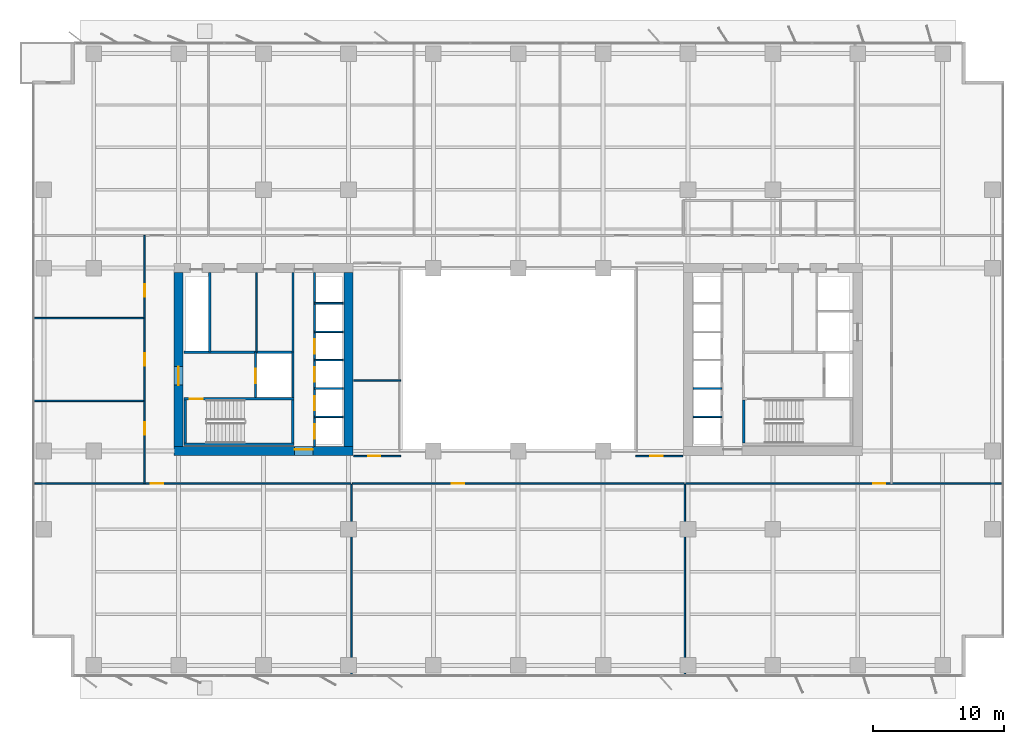
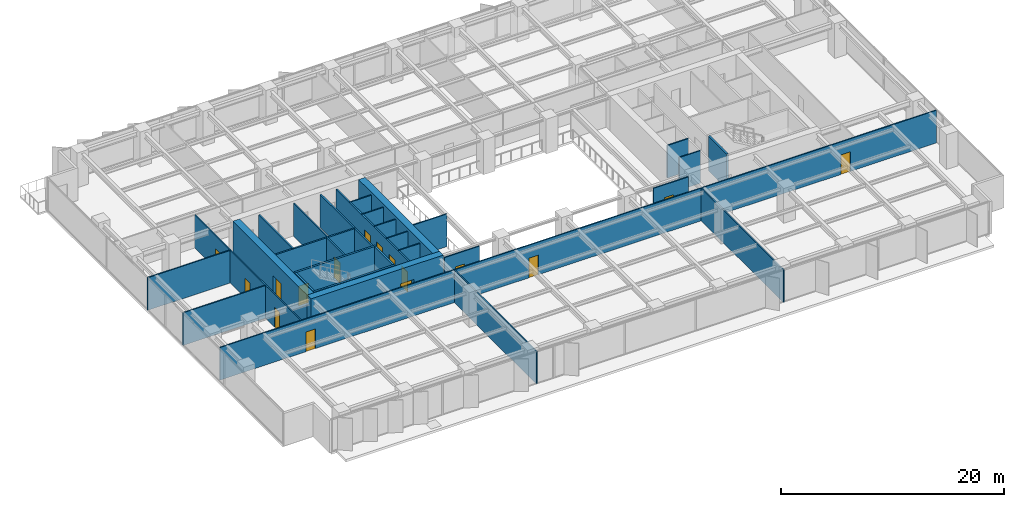
# One storey, part 13 of 19: 35 walls, 16 doors, 16 openings.
"""IFC4 building model written with IfcOpenShell, lengths in metres."""

import ifcopenshell
import ifcopenshell.guid

model = None  # the IFC model being written
_history = None  # IfcOwnerHistory: only IFC2X3 demands one
_inside = {}  # id of a spatial element -> (the spatial element, [elements in it])
_under = {}  # id of a project, library or spatial element -> (it, [spatial elements below it])
_declared = {}  # id of a project -> (the project, [libraries it declares])
_typed = {}  # id of a type object -> (the type object, [elements of that type])
_made_of = {}  # id of a material, layer set ... -> (it, [elements and type objects made of it])


def new_model(schema):
    """Start an empty IFC model of exactly this schema.

    Asked for "IFC4X3", IfcOpenShell would pick the latest addendum, in which some entities
    have other attributes; the version numbers below select the first issue.
    IFC2X3 requires an IfcOwnerHistory on every rooted entity: one is made here for all.
    """
    global model, _history
    if schema == "IFC4X3":
        model = ifcopenshell.file(schema_version=(4, 3, 0, 0))
    else:
        model = ifcopenshell.file(schema=schema)
    _inside.clear()
    _under.clear()
    _declared.clear()
    _typed.clear()
    _made_of.clear()
    _history = None
    if model.schema == "IFC2X3":
        org = make("IfcOrganization", Name="unknown")
        user = make(
            "IfcPersonAndOrganization",
            ThePerson=make("IfcPerson", FamilyName="unknown"),
            TheOrganization=org,
        )
        app = make(
            "IfcApplication",
            ApplicationDeveloper=org,
            Version="unknown",
            ApplicationFullName="unknown",
            ApplicationIdentifier="unknown",
        )
        _history = make(
            "IfcOwnerHistory",
            OwningUser=user,
            OwningApplication=app,
            ChangeAction="ADDED",
            CreationDate=0,
        )
    return model


def make(cls, **values):
    """One entity of the class cls with the attributes given. An attribute that is None is left unset."""
    return model.create_entity(
        cls, **{name: value for name, value in values.items() if value is not None}
    )


def rooted(cls, **values):
    """An entity with a GlobalId (a new one), such as an element, a storey or a relation."""
    return make(cls, GlobalId=ifcopenshell.guid.new(), OwnerHistory=_history, **values)


def si_unit(unit_type, name, prefix=None):
    """IfcSIUnit, for example si_unit("LENGTHUNIT", "METRE", prefix="MILLI")."""
    return make("IfcSIUnit", UnitType=unit_type, Prefix=prefix, Name=name)


def assignment(units):
    """IfcUnitAssignment: the units of a project."""
    return None if units is None else make("IfcUnitAssignment", Units=units)


def point(xyz):
    """IfcCartesianPoint."""
    return None if xyz is None else make("IfcCartesianPoint", Coordinates=xyz)


def direction(xyz):
    """IfcDirection."""
    return None if xyz is None else make("IfcDirection", DirectionRatios=xyz)


def frame(location, z_axis=None, x_axis=None):
    """IfcAxis2Placement3D, a coordinate frame: its origin and axes. An axis left out is left unset."""
    return make(
        "IfcAxis2Placement3D",
        Location=point(location),
        Axis=direction(z_axis),
        RefDirection=direction(x_axis),
    )


def frame_2d(location, x_axis=None):
    """IfcAxis2Placement2D, a coordinate frame in the plane: its origin and x axis."""
    return make(
        "IfcAxis2Placement2D", Location=point(location), RefDirection=direction(x_axis)
    )


def origin():
    """The frame at (0, 0, 0) with its axes left unset."""
    return frame((0.0, 0.0, 0.0))


def place(relative_to, where):
    """IfcLocalPlacement: puts the frame where relative to a parent placement (None: the world)."""
    return make(
        "IfcLocalPlacement", PlacementRelTo=relative_to, RelativePlacement=where
    )


def context(
    kind, dimensions, precision=None, world=None, true_north=None, identifier=None
):
    """IfcGeometricRepresentationContext, for example the 3D "Model" context."""
    return make(
        "IfcGeometricRepresentationContext",
        ContextIdentifier=identifier,
        ContextType=kind,
        CoordinateSpaceDimension=dimensions,
        Precision=precision,
        WorldCoordinateSystem=world,
        TrueNorth=true_north,
    )


def subcontext(parent, identifier, kind, view, scale=None):
    """IfcGeometricRepresentationSubContext, for example "Body" below "Model"."""
    return make(
        "IfcGeometricRepresentationSubContext",
        ContextIdentifier=identifier,
        ContextType=kind,
        ParentContext=parent,
        TargetScale=scale,
        TargetView=view,
    )


def project(units=None, contexts=None):
    """IfcProject with its units and contexts."""
    return rooted(
        "IfcProject",
        Name="project",
        RepresentationContexts=contexts,
        UnitsInContext=assignment(units),
    )


def spatial(cls, under=None, at=None, **own):
    """A site, building, storey or space (cls), placed at a placement, below another one or the project."""
    s = rooted(cls, ObjectPlacement=at, **own)
    if under is not None:
        _under.setdefault(under.id(), (under, []))[1].append(s)
    return s


def profile(cls, at=None, kind="AREA", **sizes):
    """A parametric profile (cls). Its sizes go by their IFC names, for example OverallWidth=200.0."""
    return make(cls, ProfileType=kind, Position=at, **sizes)


def rectangle(**sizes):
    """IfcRectangleProfileDef."""
    return profile("IfcRectangleProfileDef", **sizes)


def extrude(swept, where, along, depth):
    """IfcExtrudedAreaSolid: the profile swept, set in the frame where, extruded along a direction by depth."""
    return make(
        "IfcExtrudedAreaSolid",
        SweptArea=swept,
        Position=where,
        ExtrudedDirection=direction(along),
        Depth=depth,
    )


def shape(context_of_items, identifier, shape_type, items):
    """IfcShapeRepresentation: the items that make up one representation, for example the "Body"."""
    return make(
        "IfcShapeRepresentation",
        ContextOfItems=context_of_items,
        RepresentationIdentifier=identifier,
        RepresentationType=shape_type,
        Items=items,
    )


def material(Name=None, Category=None):
    """IfcMaterial."""
    return make("IfcMaterial", Name=Name, Category=Category)


def layer(
    of_material, thickness, ventilated=None, Name=None, Category=None, Priority=None
):
    """IfcMaterialLayer: one layer of a wall or slab, of a material (None: an air gap)."""
    return make(
        "IfcMaterialLayer",
        Material=of_material,
        LayerThickness=thickness,
        IsVentilated=ventilated,
        Name=Name,
        Category=Category,
        Priority=Priority,
    )


def layer_set(layers, Name=None):
    """IfcMaterialLayerSet."""
    return make("IfcMaterialLayerSet", MaterialLayers=layers, LayerSetName=Name)


def made_of(thing, what):
    """Note that an element or type object is made of a material, layer set ...; save() writes the relation."""
    if what is not None:
        _made_of.setdefault(what.id(), (what, []))[1].append(thing)
    return thing


def type_object(cls, material=None, **own):
    """A type object (cls), such as IfcWallType, which elements share."""
    return made_of(rooted(cls, **own), material)


def element(
    cls,
    number,
    at=None,
    inside=None,
    cuts=None,
    type_object=None,
    material=None,
    context=None,
    identifier="Body",
    shape_type=None,
    held_by="IfcProductDefinitionShape",
    body=None,
    shapes=None,
    **own,
):
    """One element of the class cls, such as IfcWall. Its Tag is "e" and its number.

    at: its placement. inside: the storey or other place that contains it. cuts: it is an
    opening in that element (IfcRelVoidsElement). A single representation is given by context,
    identifier, shape_type and body (its items); several are given by shapes. held_by: the class
    of the entity that holds the representations. save() writes the other relations.
    """
    e = rooted(cls, Tag="e%d" % number, ObjectPlacement=at, **own)
    if body is not None:
        shapes = [shape(context, identifier, shape_type, body)]
    if shapes is not None:
        e.Representation = make(held_by, Representations=shapes)
    if inside is not None:
        _inside.setdefault(inside.id(), (inside, []))[1].append(e)
    if cuts is not None:
        rooted(
            "IfcRelVoidsElement", RelatingBuildingElement=cuts, RelatedOpeningElement=e
        )
    if type_object is not None:
        _typed.setdefault(type_object.id(), (type_object, []))[1].append(e)
    return made_of(e, material)


def fill(opening, filler):
    """IfcRelFillsElement: the door or window that sits in an opening."""
    return rooted(
        "IfcRelFillsElement",
        RelatingOpeningElement=opening,
        RelatedBuildingElement=filler,
    )


def aggregate(whole, parts):
    """IfcRelAggregates: a whole, such as a stair, and the parts it consists of."""
    return rooted("IfcRelAggregates", RelatingObject=whole, RelatedObjects=parts)


def save(model, path):
    """Write the relations noted so far, then the file.

    IfcRelAggregates (storeys below a building ...), IfcRelContainedInSpatialStructure (elements
    in a storey), IfcRelDefinesByType, IfcRelAssociatesMaterial and IfcRelDeclares: one each for
    every whole, place, type object, material and project.
    """
    for whole, parts in _under.values():
        aggregate(whole, parts)
    for where, things in _inside.values():
        rooted(
            "IfcRelContainedInSpatialStructure",
            RelatedElements=things,
            RelatingStructure=where,
        )
    for kind, things in _typed.values():
        rooted("IfcRelDefinesByType", RelatedObjects=things, RelatingType=kind)
    for what, things in _made_of.values():
        rooted("IfcRelAssociatesMaterial", RelatedObjects=things, RelatingMaterial=what)
    for by, libraries in _declared.values():
        rooted("IfcRelDeclares", RelatingContext=by, RelatedDefinitions=libraries)
    model.write(path)


model = new_model("IFC4")

# Units and contexts
model_context = context("Model", 3, precision=1e-05, world=origin(), true_north=direction((0.0, 1.0)))
body_context = subcontext(model_context, "Body", "Model", "MODEL_VIEW")
ifc_project = project(units=[si_unit("LENGTHUNIT", "METRE"), si_unit("AREAUNIT", "SQUARE_METRE"), si_unit("VOLUMEUNIT", "CUBIC_METRE"), si_unit("PLANEANGLEUNIT", "RADIAN"), si_unit("MASSUNIT", "GRAM", prefix="KILO")], contexts=[model_context])

# Site, building, storey
site_placement = place(None, origin())
site = spatial("IfcSite", under=ifc_project, at=site_placement, CompositionType="ELEMENT")
building_placement = place(site_placement, origin())
building = spatial("IfcBuilding", under=site, at=building_placement, Name="Putna Gate Headquarters", CompositionType="ELEMENT")
storey_placement = place(building_placement, frame((0.0, 0.0, 86.0)))
storey = spatial("IfcBuildingStorey", under=building, at=storey_placement, Name="L20", CompositionType="ELEMENT", Elevation=86.0)

# Wall, opening, door
ifc_material_1 = material(Name="Concrete C60/75", Category="concrete")
ifc_layer_1 = layer(ifc_material_1, 0.699951171875)
ifc_layer_set_1 = layer_set([ifc_layer_1], Name="Concrete C60/75")
wall_type_1 = type_object("IfcWallType", Name="WALL-CORE-700", PredefinedType="SHEAR", material=ifc_layer_set_1)
wall_1_placement = place(storey_placement, frame((12.64990234375, 19.0, 0.0), z_axis=(0.0, 0.0, 1.0), x_axis=(1.0, 0.0, 0.0)))
wall_1 = element("IfcWall", 1, at=wall_1_placement, inside=storey, type_object=wall_type_1, Name="L20 WC Split Core Shear Wall S", PredefinedType="SHEAR", context=body_context, shape_type="SweptSolid", body=[
    extrude(rectangle(XDim=13.7001953125, YDim=0.699951171875, at=frame_2d((6.85009765625, 0.0))), origin(), (0.0, 0.0, 1.0), 3.800048828125),
])
opening_1_placement = place(wall_1_placement, frame((9.22998046875, 0.0, 0.0)))
opening_1 = element("IfcOpeningElement", 2, at=opening_1_placement, cuts=wall_1, Name="Opening FDD-140", PredefinedType="OPENING", context=body_context, shape_type="SweptSolid", body=[
    extrude(rectangle(XDim=1.39990234375, YDim=2.199951171875, at=frame_2d((0.699951171875, 1.10009765625))), frame((0.0, 0.35986328125, 0.0), z_axis=(0.0, -1.0, 0.0), x_axis=(1.0, 0.0, 0.0)), (0.0, 0.0, 1.0), 0.719970703125),
])
ifc_material_2 = material(Name="Double steel fire door", Category="steel")
door_type_1 = type_object("IfcDoorType", Name="DOOR-FIRE-DBL-1400", OperationType="DOUBLE_DOOR_SINGLE_SWING", PredefinedType="DOOR", material=ifc_material_2)
door_1_placement = place(opening_1_placement, origin())
door_1 = element("IfcDoor", 3, at=door_1_placement, inside=storey, type_object=door_type_1, Name="L20 West Lift Lobby South Door", OperationType="DOUBLE_DOOR_SINGLE_SWING", OverallHeight=2.199951171875, OverallWidth=1.39990234375, PredefinedType="DOOR", context=body_context, shape_type="SweptSolid", body=[
    extrude(rectangle(XDim=1.39990234375, YDim=2.199951171875, at=frame_2d((0.699951171875, 1.10009765625))), frame((0.0, 0.125, 0.0), z_axis=(0.0, -1.0, 0.0), x_axis=(1.0, 0.0, 0.0)), (0.0, 0.0, 1.0), 0.050048828125),
])
fill(opening_1, door_1)

wall_2_placement = place(storey_placement, frame((13.0, 19.35009765625, 0.0), z_axis=(0.0, 0.0, 1.0), x_axis=(0.0, 1.0, 0.0)))
wall_2 = element("IfcWall", 4, at=wall_2_placement, inside=storey, type_object=wall_type_1, Name="L20 WC Split Core Shear Wall W", PredefinedType="SHEAR", context=body_context, shape_type="SweptSolid", body=[
    extrude(rectangle(XDim=13.2998046875, YDim=0.699951171875, at=frame_2d((6.64990234375, 0.0))), origin(), (0.0, 0.0, 1.0), 3.800048828125),
])
opening_2_placement = place(wall_2_placement, frame((4.699951171875, 0.0, 0.0)))
opening_2 = element("IfcOpeningElement", 5, at=opening_2_placement, cuts=wall_2, Name="Opening FDD-140", PredefinedType="OPENING", context=body_context, shape_type="SweptSolid", body=[
    extrude(rectangle(XDim=1.39990234375, YDim=2.199951171875, at=frame_2d((0.699951171875, 1.10009765625))), frame((0.0, 0.35986328125, 0.0), z_axis=(0.0, -1.0, 0.0), x_axis=(1.0, 0.0, 0.0)), (0.0, 0.0, 1.0), 0.719970703125),
])
door_2_placement = place(opening_2_placement, origin())
door_2 = element("IfcDoor", 6, at=door_2_placement, inside=storey, type_object=door_type_1, Name="L20 West Firefighting Lobby Door", OperationType="DOUBLE_DOOR_SINGLE_SWING", OverallHeight=2.199951171875, OverallWidth=1.39990234375, PredefinedType="DOOR", context=body_context, shape_type="SweptSolid", body=[
    extrude(rectangle(XDim=1.39990234375, YDim=2.199951171875, at=frame_2d((0.699951171875, 1.10009765625))), frame((0.0, 0.02490234375, 0.0), z_axis=(0.0, -1.0, 0.0), x_axis=(1.0, 0.0, 0.0)), (0.0, 0.0, 1.0), 0.050048828125),
])
fill(opening_2, door_2)

# Walls
wall_3_placement = place(storey_placement, frame((26.0, 19.35009765625, 0.0), z_axis=(0.0, 0.0, 1.0), x_axis=(0.0, 1.0, 0.0)))
element("IfcWall", 7, at=wall_3_placement, inside=storey, type_object=wall_type_1, Name="L20 WC Split Core Shear Wall E", PredefinedType="SHEAR", context=body_context, shape_type="SweptSolid", body=[
    extrude(rectangle(XDim=13.2998046875, YDim=0.699951171875, at=frame_2d((6.64990234375, 0.0))), origin(), (0.0, 0.0, 1.0), 3.800048828125),
])
ifc_material_3 = material(Name="Acoustic gypsum board on metal stud")
ifc_layer_2 = layer(ifc_material_3, 0.1201171875)
ifc_layer_set_2 = layer_set([ifc_layer_2], Name="Acoustic gypsum board on metal stud")
wall_type_2 = type_object("IfcWallType", Name="WALL-PART-120", PredefinedType="PARTITIONING", material=ifc_layer_set_2)
wall_4_placement = place(storey_placement, frame((26.39990234375, 24.39990234375, 0.0), z_axis=(0.0, 0.0, 1.0), x_axis=(1.0, 0.0, 0.0)))
element("IfcWall", 8, at=wall_4_placement, inside=storey, type_object=wall_type_2, Name="L20 Interior Wall PART-L20-ATR-W-DIV", PredefinedType="PARTITIONING", context=body_context, shape_type="SweptSolid", body=[
    extrude(rectangle(XDim=3.60009765625, YDim=0.1201171875, at=frame_2d((1.800048828125, 0.0))), origin(), (0.0, 0.0, 1.0), 3.56494140625),
])

# Wall, opening, door
wall_5_placement = place(storey_placement, frame((26.39990234375, 18.60009765625, 0.0), z_axis=(0.0, 0.0, 1.0), x_axis=(1.0, 0.0, 0.0)))
wall_5 = element("IfcWall", 9, at=wall_5_placement, inside=storey, type_object=wall_type_2, Name="L20 Interior Wall PART-L20-ATR-W-S", PredefinedType="PARTITIONING", context=body_context, shape_type="SweptSolid", body=[
    extrude(rectangle(XDim=3.60009765625, YDim=0.1201171875, at=frame_2d((1.800048828125, 0.0))), origin(), (0.0, 0.0, 1.0), 3.56494140625),
])
opening_3_placement = place(wall_5_placement, frame((1.10009765625, 0.0, 0.0)))
opening_3 = element("IfcOpeningElement", 10, at=opening_3_placement, cuts=wall_5, Name="Opening ID-95", PredefinedType="OPENING", context=body_context, shape_type="SweptSolid", body=[
    extrude(rectangle(XDim=0.949951171875, YDim=2.14990234375, at=frame_2d((0.47509765625, 1.074951171875))), frame((0.0, 0.070068359375, 0.0), z_axis=(0.0, -1.0, 0.0), x_axis=(1.0, 0.0, 0.0)), (0.0, 0.0, 1.0), 0.14013671875),
])
ifc_material_4 = material(Name="Veneered acoustic timber door", Category="wood")
door_type_2 = type_object("IfcDoorType", Name="DOOR-OFF-950", OperationType="NOTDEFINED", PredefinedType="DOOR", material=ifc_material_4)
door_3_placement = place(opening_3_placement, origin())
door_3 = element("IfcDoor", 11, at=door_3_placement, inside=storey, type_object=door_type_2, Name="L20 West Atrium South Study Door", OperationType="SINGLE_SWING_LEFT", OverallHeight=2.14990234375, OverallWidth=0.949951171875, PredefinedType="DOOR", context=body_context, shape_type="SweptSolid", body=[
    extrude(rectangle(XDim=0.949951171875, YDim=2.14990234375, at=frame_2d((0.47509765625, 1.074951171875))), frame((0.0, 0.02490234375, 0.0), z_axis=(0.0, -1.0, 0.0), x_axis=(1.0, 0.0, 0.0)), (0.0, 0.0, 1.0), 0.050048828125),
])
fill(opening_3, door_3)

wall_6_placement = place(storey_placement, frame((48.0, 18.60009765625, 0.0), z_axis=(0.0, 0.0, 1.0), x_axis=(1.0, 0.0, 0.0)))
wall_6 = element("IfcWall", 12, at=wall_6_placement, inside=storey, type_object=wall_type_2, Name="L20 Interior Wall PART-L20-ATR-E-S", PredefinedType="PARTITIONING", context=body_context, shape_type="SweptSolid", body=[
    extrude(rectangle(XDim=3.60009765625, YDim=0.1201171875, at=frame_2d((1.800048828125, 0.0))), origin(), (0.0, 0.0, 1.0), 3.56494140625),
])
opening_4_placement = place(wall_6_placement, frame((1.10009765625, 0.0, 0.0)))
opening_4 = element("IfcOpeningElement", 13, at=opening_4_placement, cuts=wall_6, Name="Opening ID-95", PredefinedType="OPENING", context=body_context, shape_type="SweptSolid", body=[
    extrude(rectangle(XDim=0.949951171875, YDim=2.14990234375, at=frame_2d((0.47509765625, 1.074951171875))), frame((0.0, 0.070068359375, 0.0), z_axis=(0.0, -1.0, 0.0), x_axis=(1.0, 0.0, 0.0)), (0.0, 0.0, 1.0), 0.14013671875),
])
door_4_placement = place(opening_4_placement, origin())
door_4 = element("IfcDoor", 14, at=door_4_placement, inside=storey, type_object=door_type_2, Name="L20 East Atrium Gallery Lounge Door", OperationType="SINGLE_SWING_LEFT", OverallHeight=2.14990234375, OverallWidth=0.949951171875, PredefinedType="DOOR", context=body_context, shape_type="SweptSolid", body=[
    extrude(rectangle(XDim=0.949951171875, YDim=2.14990234375, at=frame_2d((0.47509765625, 1.074951171875))), frame((0.0, 0.02490234375, 0.0), z_axis=(0.0, -1.0, 0.0), x_axis=(1.0, 0.0, 0.0)), (0.0, 0.0, 1.0), 0.050048828125),
])
fill(opening_4, door_4)

# Walls
for number, where, z_axis, x_axis, name in (
    (15, (26.242919921875, 1.719970703125, 0.0), (0.0, 0.0, 1.0), (0.0, 1.0, 0.0), "L20 Interior Wall PART-L20-SB-DIV-01"),
    (16, (51.757080078125, 1.719970703125, 0.0), (0.0, 0.0, 1.0), (0.0, 1.0, 0.0), "L20 Interior Wall PART-L20-SB-DIV-02"),
):
    element("IfcWall", number, at=place(storey_placement, frame(where, z_axis=z_axis, x_axis=x_axis)), inside=storey, type_object=wall_type_2, Name=name, PredefinedType="PARTITIONING", context=body_context, shape_type="SweptSolid", body=[
        extrude(rectangle(XDim=14.719970703125, YDim=0.1201171875, at=frame_2d((7.35986328125, 0.0))), origin(), (0.0, 0.0, 1.0), 3.56494140625),
    ])
for number, where, z_axis, x_axis, name in (
    (17, (1.820068359375, 22.833251953125, 0.0), (0.0, 0.0, 1.0), (1.0, 0.0, 0.0), "L20 Interior Wall PART-L20-WW-DIV-1"),
    (18, (1.820068359375, 29.166748046875, 0.0), (0.0, 0.0, 1.0), (1.0, 0.0, 0.0), "L20 Interior Wall PART-L20-WW-DIV-2"),
):
    element("IfcWall", number, at=place(storey_placement, frame(where, z_axis=z_axis, x_axis=x_axis)), inside=storey, type_object=wall_type_2, Name=name, PredefinedType="PARTITIONING", context=body_context, shape_type="SweptSolid", body=[
        extrude(rectangle(XDim=8.579833984375, YDim=0.1201171875, at=frame_2d((4.2900390625, 0.0))), origin(), (0.0, 0.0, 1.0), 3.56494140625),
    ])
ifc_material_5 = material(Name="Fire-rated shaftwall gypsum board on metal stud")
ifc_layer_3 = layer(ifc_material_5, 0.1201171875)
ifc_layer_set_3 = layer_set([ifc_layer_3], Name="Fire-rated shaftwall gypsum board on metal stud")
wall_type_3 = type_object("IfcWallType", Name="WALL-PART-120-EI120", PredefinedType="PARTITIONING", material=ifc_layer_set_3)
for number, where, z_axis, x_axis, name in (
    (19, (23.39990234375, 21.610107421875, 0.0), (0.0, 0.0, 1.0), (1.0, 0.0, 0.0), "L20 Interior Wall CWINT-L20-WC-LF01-DIV"),
    (20, (23.39990234375, 23.780029296875, 0.0), (0.0, 0.0, 1.0), (1.0, 0.0, 0.0), "L20 Interior Wall CWINT-L20-WC-LF02-DIV"),
    (21, (23.39990234375, 25.949951171875, 0.0), (0.0, 0.0, 1.0), (1.0, 0.0, 0.0), "L20 Interior Wall CWINT-L20-WC-LF05-DIV"),
    (22, (23.39990234375, 28.1201171875, 0.0), (0.0, 0.0, 1.0), (1.0, 0.0, 0.0), "L20 Interior Wall CWINT-L20-WC-LF06-DIV"),
    (23, (23.39990234375, 30.31005859375, 0.0), (0.0, 0.0, 1.0), (1.0, 0.0, 0.0), "L20 Interior Wall CWINT-L20-WC-LF09-DIV"),
    (24, (52.39990234375, 21.610107421875, 0.0), (0.0, 0.0, 1.0), (1.0, 0.0, 0.0), "L20 Interior Wall CWINT-L20-EC-LF03-DIV"),
    (25, (52.39990234375, 23.780029296875, 0.0), (0.0, 0.0, 1.0), (1.0, 0.0, 0.0), "L20 Interior Wall CWINT-L20-EC-LF04-DIV"),
):
    element("IfcWall", number, at=place(storey_placement, frame(where, z_axis=z_axis, x_axis=x_axis)), inside=storey, type_object=wall_type_3, Name=name, PredefinedType="PARTITIONING", context=body_context, shape_type="SweptSolid", body=[
        extrude(rectangle(XDim=2.2001953125, YDim=0.1201171875, at=frame_2d((1.10009765625, 0.0))), origin(), (0.0, 0.0, 1.0), 3.56494140625),
    ])
ifc_material_6 = material(Name="Fire-rated gypsum board on metal stud")
ifc_layer_4 = layer(ifc_material_6, 0.1201171875)
ifc_layer_set_4 = layer_set([ifc_layer_4], Name="Fire-rated gypsum board on metal stud")
wall_type_4 = type_object("IfcWallType", Name="WALL-PART-120-RATED", PredefinedType="PARTITIONING", material=ifc_layer_set_4)
wall_7_placement = place(storey_placement, frame((18.969970703125, 26.56005859375, 0.0), z_axis=(0.0, 0.0, 1.0), x_axis=(0.0, 1.0, 0.0)))
element("IfcWall", 26, at=wall_7_placement, inside=storey, type_object=wall_type_4, Name="L20 Interior Wall CWINT-L20-WC-K0-DIV", PredefinedType="PARTITIONING", context=body_context, shape_type="SweptSolid", body=[
    extrude(rectangle(XDim=6.08984375, YDim=0.1201171875, at=frame_2d((3.044921875, 0.0))), origin(), (0.0, 0.0, 1.0), 3.56494140625),
])

# Wall, opening, door
wall_8_placement = place(storey_placement, frame((1.97998046875, 16.5, 0.0), z_axis=(0.0, 0.0, 1.0), x_axis=(1.0, 0.0, 0.0)))
wall_8 = element("IfcWall", 27, at=wall_8_placement, inside=storey, type_object=wall_type_4, Name="L20 Interior Wall PART-L20-SB-CW-01", PredefinedType="PARTITIONING", context=body_context, shape_type="SweptSolid", body=[
    extrude(rectangle(XDim=24.202880859375, YDim=0.1201171875, at=frame_2d((12.1015625, 0.0))), origin(), (0.0, 0.0, 1.0), 3.56494140625),
])
opening_5_placement = place(wall_8_placement, frame((8.89990234375, 0.0, 0.0)))
opening_5 = element("IfcOpeningElement", 28, at=opening_5_placement, cuts=wall_8, Name="Opening FD-95", PredefinedType="OPENING", context=body_context, shape_type="SweptSolid", body=[
    extrude(rectangle(XDim=0.949951171875, YDim=2.14990234375, at=frame_2d((0.47509765625, 1.074951171875))), frame((0.0, 0.070068359375, 0.0), z_axis=(0.0, -1.0, 0.0), x_axis=(1.0, 0.0, 0.0)), (0.0, 0.0, 1.0), 0.14013671875),
])
ifc_material_7 = material(Name="Acoustic timber fire door", Category="wood")
door_type_3 = type_object("IfcDoorType", Name="DOOR-FIRE-950", OperationType="NOTDEFINED", PredefinedType="DOOR", material=ifc_material_7)
door_5_placement = place(opening_5_placement, origin())
door_5 = element("IfcDoor", 29, at=door_5_placement, inside=storey, type_object=door_type_3, Name="L20 Collaborative Breakout Lounge 2 Door", OperationType="SINGLE_SWING_LEFT", OverallHeight=2.14990234375, OverallWidth=0.949951171875, PredefinedType="DOOR", context=body_context, shape_type="SweptSolid", body=[
    extrude(rectangle(XDim=0.949951171875, YDim=2.14990234375, at=frame_2d((0.47509765625, 1.074951171875))), frame((0.0, 0.02490234375, 0.0), z_axis=(0.0, -1.0, 0.0), x_axis=(1.0, 0.0, 0.0)), (0.0, 0.0, 1.0), 0.050048828125),
])
fill(opening_5, door_5)

wall_9_placement = place(storey_placement, frame((26.302978515625, 16.5, 0.0), z_axis=(0.0, 0.0, 1.0), x_axis=(1.0, 0.0, 0.0)))
wall_9 = element("IfcWall", 30, at=wall_9_placement, inside=storey, type_object=wall_type_4, Name="L20 Interior Wall PART-L20-SB-CW-02", PredefinedType="PARTITIONING", context=body_context, shape_type="SweptSolid", body=[
    extrude(rectangle(XDim=25.39404296875, YDim=0.1201171875, at=frame_2d((12.697021484375, 0.0))), origin(), (0.0, 0.0, 1.0), 3.56494140625),
])
opening_6_placement = place(wall_9_placement, frame((7.618408203125, 0.0, 0.0)))
opening_6 = element("IfcOpeningElement", 31, at=opening_6_placement, cuts=wall_9, Name="Opening FD-95", PredefinedType="OPENING", context=body_context, shape_type="SweptSolid", body=[
    extrude(rectangle(XDim=0.949951171875, YDim=2.14990234375, at=frame_2d((0.47509765625, 1.074951171875))), frame((0.0, 0.070068359375, 0.0), z_axis=(0.0, -1.0, 0.0), x_axis=(1.0, 0.0, 0.0)), (0.0, 0.0, 1.0), 0.14013671875),
])
door_6_placement = place(opening_6_placement, origin())
door_6 = element("IfcDoor", 32, at=door_6_placement, inside=storey, type_object=door_type_3, Name="L20 Cellular Office 1 Door", OperationType="SINGLE_SWING_RIGHT", OverallHeight=2.14990234375, OverallWidth=0.949951171875, PredefinedType="DOOR", context=body_context, shape_type="SweptSolid", body=[
    extrude(rectangle(XDim=0.949951171875, YDim=2.14990234375, at=frame_2d((0.47509765625, 1.074951171875))), frame((0.0, 0.02490234375, 0.0), z_axis=(0.0, -1.0, 0.0), x_axis=(1.0, 0.0, 0.0)), (0.0, 0.0, 1.0), 0.050048828125),
])
fill(opening_6, door_6)

wall_10_placement = place(storey_placement, frame((51.817138671875, 16.5, 0.0), z_axis=(0.0, 0.0, 1.0), x_axis=(1.0, 0.0, 0.0)))
wall_10 = element("IfcWall", 33, at=wall_10_placement, inside=storey, type_object=wall_type_4, Name="L20 Interior Wall PART-L20-SB-CW-03", PredefinedType="PARTITIONING", context=body_context, shape_type="SweptSolid", body=[
    extrude(rectangle(XDim=24.202880859375, YDim=0.1201171875, at=frame_2d((12.1015625, 0.0))), origin(), (0.0, 0.0, 1.0), 3.56494140625),
])
opening_7_placement = place(wall_10_placement, frame((14.352783203125, 0.0, 0.0)))
opening_7 = element("IfcOpeningElement", 34, at=opening_7_placement, cuts=wall_10, Name="Opening FD-95", PredefinedType="OPENING", context=body_context, shape_type="SweptSolid", body=[
    extrude(rectangle(XDim=0.949951171875, YDim=2.14990234375, at=frame_2d((0.47509765625, 1.074951171875))), frame((0.0, 0.070068359375, 0.0), z_axis=(0.0, -1.0, 0.0), x_axis=(1.0, 0.0, 0.0)), (0.0, 0.0, 1.0), 0.14013671875),
])
door_7_placement = place(opening_7_placement, origin())
door_7 = element("IfcDoor", 35, at=door_7_placement, inside=storey, type_object=door_type_3, Name="L20 Collaborative Breakout Lounge 3 Door", OperationType="SINGLE_SWING_LEFT", OverallHeight=2.14990234375, OverallWidth=0.949951171875, PredefinedType="DOOR", context=body_context, shape_type="SweptSolid", body=[
    extrude(rectangle(XDim=0.949951171875, YDim=2.14990234375, at=frame_2d((0.47509765625, 1.074951171875))), frame((0.0, 0.02490234375, 0.0), z_axis=(0.0, -1.0, 0.0), x_axis=(1.0, 0.0, 0.0)), (0.0, 0.0, 1.0), 0.050048828125),
])
fill(opening_7, door_7)

wall_11_placement = place(storey_placement, frame((10.39990234375, 16.5, 0.0), z_axis=(0.0, 0.0, 1.0), x_axis=(0.0, 1.0, 0.0)))
wall_11 = element("IfcWall", 36, at=wall_11_placement, inside=storey, type_object=wall_type_4, Name="L20 Interior Wall PART-L20-WW-CW-1", PredefinedType="PARTITIONING", context=body_context, shape_type="SweptSolid", body=[
    extrude(rectangle(XDim=6.333251953125, YDim=0.1201171875, at=frame_2d((3.16650390625, 0.0))), origin(), (0.0, 0.0, 1.0), 3.56494140625),
])
opening_8_placement = place(wall_11_placement, frame((3.74169921875, 0.0, 0.0)))
opening_8 = element("IfcOpeningElement", 37, at=opening_8_placement, cuts=wall_11, Name="Opening FD-95", PredefinedType="OPENING", context=body_context, shape_type="SweptSolid", body=[
    extrude(rectangle(XDim=0.949951171875, YDim=2.14990234375, at=frame_2d((0.47509765625, 1.074951171875))), frame((0.0, 0.070068359375, 0.0), z_axis=(0.0, -1.0, 0.0), x_axis=(1.0, 0.0, 0.0)), (0.0, 0.0, 1.0), 0.14013671875),
])
door_8_placement = place(opening_8_placement, origin())
door_8 = element("IfcDoor", 38, at=door_8_placement, inside=storey, type_object=door_type_3, Name="L20 West Executive Office 1 Door", OperationType="SINGLE_SWING_RIGHT", OverallHeight=2.14990234375, OverallWidth=0.949951171875, PredefinedType="DOOR", context=body_context, shape_type="SweptSolid", body=[
    extrude(rectangle(XDim=0.949951171875, YDim=2.14990234375, at=frame_2d((0.47509765625, 1.074951171875))), frame((0.0, 0.02490234375, 0.0), z_axis=(0.0, -1.0, 0.0), x_axis=(1.0, 0.0, 0.0)), (0.0, 0.0, 1.0), 0.050048828125),
])
fill(opening_8, door_8)

wall_12_placement = place(storey_placement, frame((10.39990234375, 22.833251953125, 0.0), z_axis=(0.0, 0.0, 1.0), x_axis=(0.0, 1.0, 0.0)))
wall_12 = element("IfcWall", 39, at=wall_12_placement, inside=storey, type_object=wall_type_4, Name="L20 Interior Wall PART-L20-WW-CW-2", PredefinedType="PARTITIONING", context=body_context, shape_type="SweptSolid", body=[
    extrude(rectangle(XDim=6.33349609375, YDim=0.1201171875, at=frame_2d((3.166748046875, 0.0))), origin(), (0.0, 0.0, 1.0), 3.56494140625),
])
opening_9_placement = place(wall_12_placement, frame((2.691650390625, 0.0, 0.0)))
opening_9 = element("IfcOpeningElement", 40, at=opening_9_placement, cuts=wall_12, Name="Opening FD-95", PredefinedType="OPENING", context=body_context, shape_type="SweptSolid", body=[
    extrude(rectangle(XDim=0.949951171875, YDim=2.14990234375, at=frame_2d((0.47509765625, 1.074951171875))), frame((0.0, 0.070068359375, 0.0), z_axis=(0.0, -1.0, 0.0), x_axis=(1.0, 0.0, 0.0)), (0.0, 0.0, 1.0), 0.14013671875),
])
door_9_placement = place(opening_9_placement, origin())
door_9 = element("IfcDoor", 41, at=door_9_placement, inside=storey, type_object=door_type_3, Name="L20 West Executive Office 2 Door", OperationType="SINGLE_SWING_LEFT", OverallHeight=2.14990234375, OverallWidth=0.949951171875, PredefinedType="DOOR", context=body_context, shape_type="SweptSolid", body=[
    extrude(rectangle(XDim=0.949951171875, YDim=2.14990234375, at=frame_2d((0.47509765625, 1.074951171875))), frame((0.0, 0.02490234375, 0.0), z_axis=(0.0, -1.0, 0.0), x_axis=(1.0, 0.0, 0.0)), (0.0, 0.0, 1.0), 0.050048828125),
])
fill(opening_9, door_9)

wall_13_placement = place(storey_placement, frame((10.39990234375, 29.166748046875, 0.0), z_axis=(0.0, 0.0, 1.0), x_axis=(0.0, 1.0, 0.0)))
wall_13 = element("IfcWall", 42, at=wall_13_placement, inside=storey, type_object=wall_type_4, Name="L20 Interior Wall PART-L20-WW-CW-3", PredefinedType="PARTITIONING", context=body_context, shape_type="SweptSolid", body=[
    extrude(rectangle(XDim=6.333251953125, YDim=0.1201171875, at=frame_2d((3.16650390625, 0.0))), origin(), (0.0, 0.0, 1.0), 3.56494140625),
])
opening_10_placement = place(wall_13_placement, frame((1.6416015625, 0.0, 0.0)))
opening_10 = element("IfcOpeningElement", 43, at=opening_10_placement, cuts=wall_13, Name="Opening FD-95", PredefinedType="OPENING", context=body_context, shape_type="SweptSolid", body=[
    extrude(rectangle(XDim=0.949951171875, YDim=2.14990234375, at=frame_2d((0.47509765625, 1.074951171875))), frame((0.0, 0.070068359375, 0.0), z_axis=(0.0, -1.0, 0.0), x_axis=(1.0, 0.0, 0.0)), (0.0, 0.0, 1.0), 0.14013671875),
])
door_10_placement = place(opening_10_placement, origin())
door_10 = element("IfcDoor", 44, at=door_10_placement, inside=storey, type_object=door_type_3, Name="L20 West Project Meeting Room 3 Door", OperationType="SINGLE_SWING_RIGHT", OverallHeight=2.14990234375, OverallWidth=0.949951171875, PredefinedType="DOOR", context=body_context, shape_type="SweptSolid", body=[
    extrude(rectangle(XDim=0.949951171875, YDim=2.14990234375, at=frame_2d((0.47509765625, 1.074951171875))), frame((0.0, 0.02490234375, 0.0), z_axis=(0.0, -1.0, 0.0), x_axis=(1.0, 0.0, 0.0)), (0.0, 0.0, 1.0), 0.050048828125),
])
fill(opening_10, door_10)

# Wall
ifc_material_8 = material(Name="Concrete C40/50", Category="concrete")
ifc_layer_5 = layer(ifc_material_8, 0.159912109375)
ifc_layer_set_5 = layer_set([ifc_layer_5], Name="Concrete C40/50")
wall_type_5 = type_object("IfcWallType", Name="WALL-SHAFT-160", PredefinedType="STANDARD", material=ifc_layer_set_5)
wall_14_placement = place(storey_placement, frame((21.739990234375, 23.090087890625, 0.0), z_axis=(0.0, 0.0, 1.0), x_axis=(0.0, 1.0, 0.0)))
element("IfcWall", 45, at=wall_14_placement, inside=storey, type_object=wall_type_5, Name="L20 Interior Wall CWINT-L20-WC-FFL-E", PredefinedType="STANDARD", context=body_context, shape_type="SweptSolid", body=[
    extrude(rectangle(XDim=3.469970703125, YDim=0.159912109375, at=frame_2d((1.73486328125, 0.0))), origin(), (0.0, 0.0, 1.0), 3.56494140625),
])

# Wall, opening, door
wall_15_placement = place(storey_placement, frame((18.8798828125, 23.090087890625, 0.0), z_axis=(0.0, 0.0, 1.0), x_axis=(0.0, 1.0, 0.0)))
wall_15 = element("IfcWall", 46, at=wall_15_placement, inside=storey, type_object=wall_type_5, Name="L20 Interior Wall CWINT-L20-WC-LF13-W", PredefinedType="STANDARD", context=body_context, shape_type="SweptSolid", body=[
    extrude(rectangle(XDim=3.469970703125, YDim=0.159912109375, at=frame_2d((1.73486328125, 0.0))), origin(), (0.0, 0.0, 1.0), 3.56494140625),
])
opening_11_placement = place(wall_15_placement, frame((1.10009765625, 0.0, 0.0)))
opening_11 = element("IfcOpeningElement", 47, at=opening_11_placement, cuts=wall_15, Name="Opening LD-1", PredefinedType="OPENING", context=body_context, shape_type="SweptSolid", body=[
    extrude(rectangle(XDim=1.10009765625, YDim=2.199951171875, at=frame_2d((0.550048828125, 1.10009765625))), frame((0.0, 0.08984375, 0.0), z_axis=(0.0, -1.0, 0.0), x_axis=(1.0, 0.0, 0.0)), (0.0, 0.0, 1.0), 0.179931640625),
])
ifc_material_9 = material(Name="Brushed bronze stainless lift landing door")
door_type_4 = type_object("IfcDoorType", Name="DOOR-LIFT-1100", OperationType="DOUBLE_DOOR_SLIDING", PredefinedType="DOOR", material=ifc_material_9)
door_11_placement = place(opening_11_placement, origin())
door_11 = element("IfcDoor", 48, at=door_11_placement, inside=storey, type_object=door_type_4, Name="L20 Lift Landing Door LD-13", OperationType="DOUBLE_DOOR_SLIDING", OverallHeight=2.199951171875, OverallWidth=1.10009765625, PredefinedType="DOOR", context=body_context, shape_type="SweptSolid", body=[
    extrude(rectangle(XDim=1.10009765625, YDim=2.199951171875, at=frame_2d((0.550048828125, 1.10009765625))), frame((0.0, 0.02490234375, 0.0), z_axis=(0.0, -1.0, 0.0), x_axis=(1.0, 0.0, 0.0)), (0.0, 0.0, 1.0), 0.050048828125),
])
fill(opening_11, door_11)

# Walls
wall_16_placement = place(storey_placement, frame((13.39990234375, 26.56005859375, 0.0), z_axis=(0.0, 0.0, 1.0), x_axis=(1.0, 0.0, 0.0)))
element("IfcWall", 49, at=wall_16_placement, inside=storey, type_object=wall_type_5, Name="L20 Interior Wall CWINT-L20-WC-FFL-N", PredefinedType="STANDARD", context=body_context, shape_type="SweptSolid", body=[
    extrude(rectangle(XDim=8.340087890625, YDim=0.159912109375, at=frame_2d((4.169921875, 0.0))), origin(), (0.0, 0.0, 1.0), 3.56494140625),
])
for number, where, z_axis, x_axis, name in (
    (50, (15.3798828125, 26.56005859375, 0.0), (0.0, 0.0, 1.0), (0.0, 1.0, 0.0), "L20 Interior Wall CWINT-L20-WC-RISER-E"),
    (51, (21.739990234375, 26.56005859375, 0.0), (0.0, 0.0, 1.0), (0.0, 1.0, 0.0), "L20 Interior Wall CWINT-L20-WC-LOB-W"),
):
    element("IfcWall", number, at=place(storey_placement, frame(where, z_axis=z_axis, x_axis=x_axis)), inside=storey, type_object=wall_type_5, Name=name, PredefinedType="STANDARD", context=body_context, shape_type="SweptSolid", body=[
        extrude(rectangle(XDim=6.08984375, YDim=0.159912109375, at=frame_2d((3.044921875, 0.0))), origin(), (0.0, 0.0, 1.0), 3.56494140625),
    ])

# Wall, openings, doors
wall_17_placement = place(storey_placement, frame((23.39990234375, 19.35009765625, 0.0), z_axis=(0.0, 0.0, 1.0), x_axis=(0.0, 1.0, 0.0)))
wall_17 = element("IfcWall", 52, at=wall_17_placement, inside=storey, type_object=wall_type_5, Name="L20 Interior Wall CWINT-L20-WC-PL-WALL", PredefinedType="STANDARD", context=body_context, shape_type="SweptSolid", body=[
    extrude(rectangle(XDim=13.2998046875, YDim=0.159912109375, at=frame_2d((6.64990234375, 0.0))), origin(), (0.0, 0.0, 1.0), 3.56494140625),
])
opening_12_placement = place(wall_17_placement, frame((0.60009765625, 0.0, 0.0)))
opening_12 = element("IfcOpeningElement", 53, at=opening_12_placement, cuts=wall_17, Name="Opening LD-1", PredefinedType="OPENING", context=body_context, shape_type="SweptSolid", body=[
    extrude(rectangle(XDim=1.10009765625, YDim=2.199951171875, at=frame_2d((0.550048828125, 1.10009765625))), frame((0.0, 0.08984375, 0.0), z_axis=(0.0, -1.0, 0.0), x_axis=(1.0, 0.0, 0.0)), (0.0, 0.0, 1.0), 0.179931640625),
])
opening_13_placement = place(wall_17_placement, frame((2.75, 0.0, 0.0)))
opening_13 = element("IfcOpeningElement", 54, at=opening_13_placement, cuts=wall_17, Name="Opening LD-1", PredefinedType="OPENING", context=body_context, shape_type="SweptSolid", body=[
    extrude(rectangle(XDim=1.10009765625, YDim=2.199951171875, at=frame_2d((0.550048828125, 1.10009765625))), frame((0.0, 0.08984375, 0.0), z_axis=(0.0, -1.0, 0.0), x_axis=(1.0, 0.0, 0.0)), (0.0, 0.0, 1.0), 0.179931640625),
])
opening_14_placement = place(wall_17_placement, frame((4.949951171875, 0.0, 0.0)))
opening_14 = element("IfcOpeningElement", 55, at=opening_14_placement, cuts=wall_17, Name="Opening LD-1", PredefinedType="OPENING", context=body_context, shape_type="SweptSolid", body=[
    extrude(rectangle(XDim=1.10009765625, YDim=2.199951171875, at=frame_2d((0.550048828125, 1.10009765625))), frame((0.0, 0.08984375, 0.0), z_axis=(0.0, -1.0, 0.0), x_axis=(1.0, 0.0, 0.0)), (0.0, 0.0, 1.0), 0.179931640625),
])
opening_15_placement = place(wall_17_placement, frame((7.10009765625, 0.0, 0.0)))
opening_15 = element("IfcOpeningElement", 56, at=opening_15_placement, cuts=wall_17, Name="Opening LD-1", PredefinedType="OPENING", context=body_context, shape_type="SweptSolid", body=[
    extrude(rectangle(XDim=1.10009765625, YDim=2.199951171875, at=frame_2d((0.550048828125, 1.10009765625))), frame((0.0, 0.08984375, 0.0), z_axis=(0.0, -1.0, 0.0), x_axis=(1.0, 0.0, 0.0)), (0.0, 0.0, 1.0), 0.179931640625),
])
door_12_placement = place(opening_12_placement, origin())
door_12 = element("IfcDoor", 57, at=door_12_placement, inside=storey, type_object=door_type_4, Name="L20 Lift Landing Door LD-01", OperationType="DOUBLE_DOOR_SLIDING", OverallHeight=2.199951171875, OverallWidth=1.10009765625, PredefinedType="DOOR", context=body_context, shape_type="SweptSolid", body=[
    extrude(rectangle(XDim=1.10009765625, YDim=2.199951171875, at=frame_2d((0.550048828125, 1.10009765625))), frame((0.0, 0.02490234375, 0.0), z_axis=(0.0, -1.0, 0.0), x_axis=(1.0, 0.0, 0.0)), (0.0, 0.0, 1.0), 0.050048828125),
])
fill(opening_12, door_12)
door_13_placement = place(opening_13_placement, origin())
door_13 = element("IfcDoor", 58, at=door_13_placement, inside=storey, type_object=door_type_4, Name="L20 Lift Landing Door LD-02", OperationType="DOUBLE_DOOR_SLIDING", OverallHeight=2.199951171875, OverallWidth=1.10009765625, PredefinedType="DOOR", context=body_context, shape_type="SweptSolid", body=[
    extrude(rectangle(XDim=1.10009765625, YDim=2.199951171875, at=frame_2d((0.550048828125, 1.10009765625))), frame((0.0, 0.02490234375, 0.0), z_axis=(0.0, -1.0, 0.0), x_axis=(1.0, 0.0, 0.0)), (0.0, 0.0, 1.0), 0.050048828125),
])
fill(opening_13, door_13)
door_14_placement = place(opening_14_placement, origin())
door_14 = element("IfcDoor", 59, at=door_14_placement, inside=storey, type_object=door_type_4, Name="L20 Lift Landing Door LD-05", OperationType="DOUBLE_DOOR_SLIDING", OverallHeight=2.199951171875, OverallWidth=1.10009765625, PredefinedType="DOOR", context=body_context, shape_type="SweptSolid", body=[
    extrude(rectangle(XDim=1.10009765625, YDim=2.199951171875, at=frame_2d((0.550048828125, 1.10009765625))), frame((0.0, 0.02490234375, 0.0), z_axis=(0.0, -1.0, 0.0), x_axis=(1.0, 0.0, 0.0)), (0.0, 0.0, 1.0), 0.050048828125),
])
fill(opening_14, door_14)
door_15_placement = place(opening_15_placement, origin())
door_15 = element("IfcDoor", 60, at=door_15_placement, inside=storey, type_object=door_type_4, Name="L20 Lift Landing Door LD-06", OperationType="DOUBLE_DOOR_SLIDING", OverallHeight=2.199951171875, OverallWidth=1.10009765625, PredefinedType="DOOR", context=body_context, shape_type="SweptSolid", body=[
    extrude(rectangle(XDim=1.10009765625, YDim=2.199951171875, at=frame_2d((0.550048828125, 1.10009765625))), frame((0.0, 0.02490234375, 0.0), z_axis=(0.0, -1.0, 0.0), x_axis=(1.0, 0.0, 0.0)), (0.0, 0.0, 1.0), 0.050048828125),
])
fill(opening_15, door_15)

# Wall
ifc_layer_6 = layer(ifc_material_8, 0.199951171875)
ifc_layer_set_6 = layer_set([ifc_layer_6], Name="Concrete C40/50")
wall_type_6 = type_object("IfcWallType", Name="WALL-SHAFT-RC200", PredefinedType="SHEAR", material=ifc_layer_set_6)
wall_18_placement = place(storey_placement, frame((13.409912109375, 19.510009765625, 0.0), z_axis=(0.0, 0.0, 1.0), x_axis=(1.0, 0.0, 0.0)))
element("IfcWall", 61, at=wall_18_placement, inside=storey, type_object=wall_type_6, Name="L20 Stair ST1 Structural Shaft Wall S", PredefinedType="SHEAR", context=body_context, shape_type="SweptSolid", body=[
    extrude(rectangle(XDim=8.43017578125, YDim=0.199951171875, at=frame_2d((4.215087890625, 0.0))), origin(), (0.0, 0.0, 1.0), 3.800048828125),
])

# Wall, opening, door
wall_19_placement = place(storey_placement, frame((13.409912109375, 22.989990234375, 0.0), z_axis=(0.0, 0.0, 1.0), x_axis=(1.0, 0.0, 0.0)))
wall_19 = element("IfcWall", 62, at=wall_19_placement, inside=storey, type_object=wall_type_6, Name="L20 Stair ST1 Structural Shaft Wall N", PredefinedType="SHEAR", context=body_context, shape_type="SweptSolid", body=[
    extrude(rectangle(XDim=8.43017578125, YDim=0.199951171875, at=frame_2d((4.215087890625, 0.0))), origin(), (0.0, 0.0, 1.0), 3.800048828125),
])
opening_16_placement = place(wall_19_placement, frame((0.449951171875, 0.0, 0.0)))
opening_16 = element("IfcOpeningElement", 63, at=opening_16_placement, cuts=wall_19, Name="Opening FD-100", PredefinedType="OPENING", context=body_context, shape_type="SweptSolid", body=[
    extrude(rectangle(XDim=1.0, YDim=2.14990234375, at=frame_2d((0.5, 1.074951171875))), frame((0.0, 0.10986328125, 0.0), z_axis=(0.0, -1.0, 0.0), x_axis=(1.0, 0.0, 0.0)), (0.0, 0.0, 1.0), 0.219970703125),
])
ifc_material_10 = material(Name="Powder-coated steel fire door", Category="steel")
door_type_5 = type_object("IfcDoorType", Name="DOOR-FIRE-1000", OperationType="NOTDEFINED", PredefinedType="DOOR", material=ifc_material_10)
door_16_placement = place(opening_16_placement, origin())
door_16 = element("IfcDoor", 64, at=door_16_placement, inside=storey, type_object=door_type_5, Name="L20 Stair ST1 Fire Door", OperationType="SINGLE_SWING_LEFT", OverallHeight=2.14990234375, OverallWidth=1.0, PredefinedType="DOOR", context=body_context, shape_type="SweptSolid", body=[
    extrude(rectangle(XDim=1.0, YDim=2.14990234375, at=frame_2d((0.5, 1.074951171875))), frame((0.0, 0.02490234375, 0.0), z_axis=(0.0, -1.0, 0.0), x_axis=(1.0, 0.0, 0.0)), (0.0, 0.0, 1.0), 0.050048828125),
])
fill(opening_16, door_16)

# Walls
for number, where, z_axis, x_axis, name in (
    (65, (13.510009765625, 19.610107421875, 0.0), (0.0, 0.0, 1.0), (0.0, 1.0, 0.0), "L20 Stair ST1 Structural Shaft Wall W"),
    (66, (21.739990234375, 19.610107421875, 0.0), (0.0, 0.0, 1.0), (0.0, 1.0, 0.0), "L20 Stair ST1 Structural Shaft Wall E"),
    (67, (56.260009765625, 19.610107421875, 0.0), (0.0, 0.0, 1.0), (0.0, 1.0, 0.0), "L20 Stair ST2 Structural Shaft Wall W"),
):
    element("IfcWall", number, at=place(storey_placement, frame(where, z_axis=z_axis, x_axis=x_axis)), inside=storey, type_object=wall_type_6, Name=name, PredefinedType="SHEAR", context=body_context, shape_type="SweptSolid", body=[
        extrude(rectangle(XDim=3.27978515625, YDim=0.199951171875, at=frame_2d((1.639892578125, 0.0))), origin(), (0.0, 0.0, 1.0), 3.800048828125),
    ])

save(model, "model.ifc")
